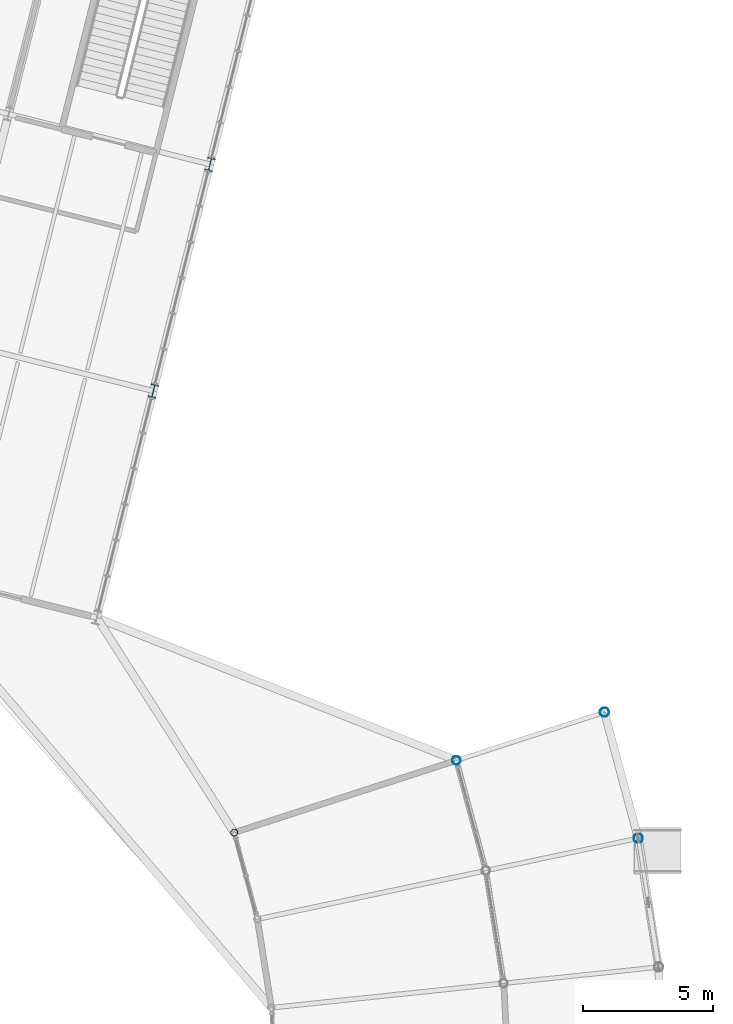
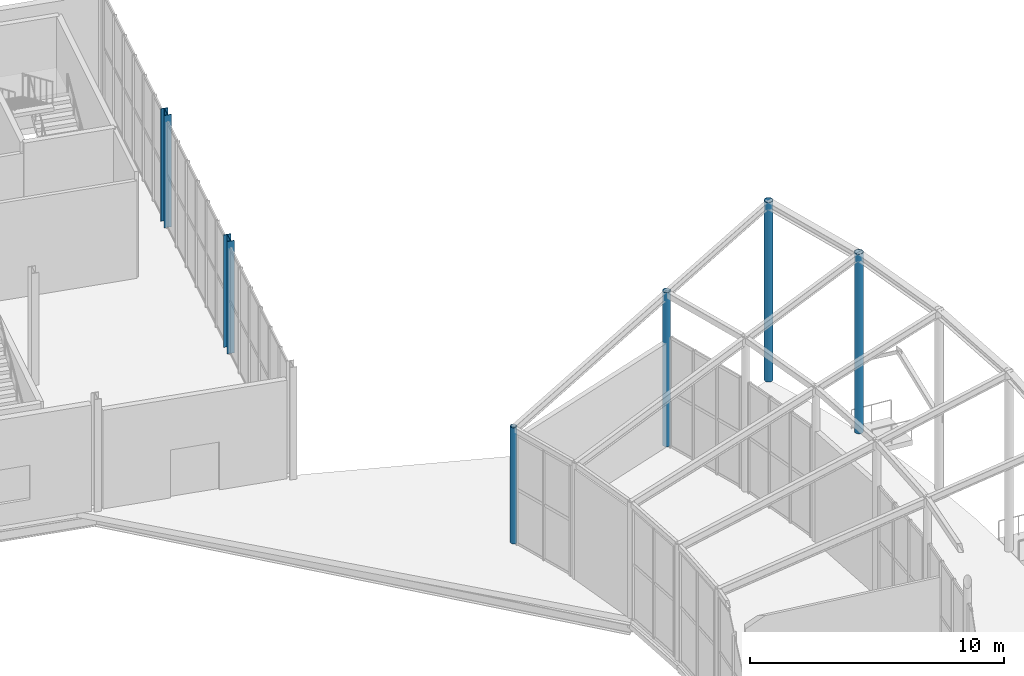
# One storey, part 27 of 158: 6 columns.
"""IFC4 building model written with IfcOpenShell, lengths in metres."""

import ifcopenshell
import ifcopenshell.guid

model = None  # the IFC model being written
_history = None  # IfcOwnerHistory: only IFC2X3 demands one
_inside = {}  # id of a spatial element -> (the spatial element, [elements in it])
_under = {}  # id of a project, library or spatial element -> (it, [spatial elements below it])
_declared = {}  # id of a project -> (the project, [libraries it declares])
_typed = {}  # id of a type object -> (the type object, [elements of that type])
_made_of = {}  # id of a material, layer set ... -> (it, [elements and type objects made of it])


def new_model(schema):
    """Start an empty IFC model of exactly this schema.

    Asked for "IFC4X3", IfcOpenShell would pick the latest addendum, in which some entities
    have other attributes; the version numbers below select the first issue.
    IFC2X3 requires an IfcOwnerHistory on every rooted entity: one is made here for all.
    """
    global model, _history
    if schema == "IFC4X3":
        model = ifcopenshell.file(schema_version=(4, 3, 0, 0))
    else:
        model = ifcopenshell.file(schema=schema)
    _inside.clear()
    _under.clear()
    _declared.clear()
    _typed.clear()
    _made_of.clear()
    _history = None
    if model.schema == "IFC2X3":
        org = make("IfcOrganization", Name="unknown")
        user = make(
            "IfcPersonAndOrganization",
            ThePerson=make("IfcPerson", FamilyName="unknown"),
            TheOrganization=org,
        )
        app = make(
            "IfcApplication",
            ApplicationDeveloper=org,
            Version="unknown",
            ApplicationFullName="unknown",
            ApplicationIdentifier="unknown",
        )
        _history = make(
            "IfcOwnerHistory",
            OwningUser=user,
            OwningApplication=app,
            ChangeAction="ADDED",
            CreationDate=0,
        )
    return model


def make(cls, **values):
    """One entity of the class cls with the attributes given. An attribute that is None is left unset."""
    return model.create_entity(
        cls, **{name: value for name, value in values.items() if value is not None}
    )


def rooted(cls, **values):
    """An entity with a GlobalId (a new one), such as an element, a storey or a relation."""
    return make(cls, GlobalId=ifcopenshell.guid.new(), OwnerHistory=_history, **values)


def si_unit(unit_type, name, prefix=None):
    """IfcSIUnit, for example si_unit("LENGTHUNIT", "METRE", prefix="MILLI")."""
    return make("IfcSIUnit", UnitType=unit_type, Prefix=prefix, Name=name)


def derived_unit(unit_type, elements):
    """IfcDerivedUnit: a product of units, each with its exponent."""
    return make(
        "IfcDerivedUnit",
        Elements=[
            make("IfcDerivedUnitElement", Unit=unit, Exponent=power)
            for unit, power in elements
        ],
        UnitType=unit_type,
    )


def assignment(units):
    """IfcUnitAssignment: the units of a project."""
    return None if units is None else make("IfcUnitAssignment", Units=units)


def point(xyz):
    """IfcCartesianPoint."""
    return None if xyz is None else make("IfcCartesianPoint", Coordinates=xyz)


def direction(xyz):
    """IfcDirection."""
    return None if xyz is None else make("IfcDirection", DirectionRatios=xyz)


def frame(location, z_axis=None, x_axis=None):
    """IfcAxis2Placement3D, a coordinate frame: its origin and axes. An axis left out is left unset."""
    return make(
        "IfcAxis2Placement3D",
        Location=point(location),
        Axis=direction(z_axis),
        RefDirection=direction(x_axis),
    )


def frame_2d(location, x_axis=None):
    """IfcAxis2Placement2D, a coordinate frame in the plane: its origin and x axis."""
    return make(
        "IfcAxis2Placement2D", Location=point(location), RefDirection=direction(x_axis)
    )


def origin():
    """The frame at (0, 0, 0) with its axes left unset."""
    return frame((0.0, 0.0, 0.0))


def origin_2d():
    """The frame at (0, 0) in the plane with its x axis left unset."""
    return frame_2d((0.0, 0.0))


def place(relative_to, where):
    """IfcLocalPlacement: puts the frame where relative to a parent placement (None: the world)."""
    return make(
        "IfcLocalPlacement", PlacementRelTo=relative_to, RelativePlacement=where
    )


def context(
    kind, dimensions, precision=None, world=None, true_north=None, identifier=None
):
    """IfcGeometricRepresentationContext, for example the 3D "Model" context."""
    return make(
        "IfcGeometricRepresentationContext",
        ContextIdentifier=identifier,
        ContextType=kind,
        CoordinateSpaceDimension=dimensions,
        Precision=precision,
        WorldCoordinateSystem=world,
        TrueNorth=true_north,
    )


def subcontext(parent, identifier, kind, view, scale=None):
    """IfcGeometricRepresentationSubContext, for example "Body" below "Model"."""
    return make(
        "IfcGeometricRepresentationSubContext",
        ContextIdentifier=identifier,
        ContextType=kind,
        ParentContext=parent,
        TargetScale=scale,
        TargetView=view,
    )


def project(units=None, contexts=None):
    """IfcProject with its units and contexts."""
    return rooted(
        "IfcProject",
        Name="project",
        RepresentationContexts=contexts,
        UnitsInContext=assignment(units),
    )


def spatial(cls, under=None, at=None, **own):
    """A site, building, storey or space (cls), placed at a placement, below another one or the project."""
    s = rooted(cls, ObjectPlacement=at, **own)
    if under is not None:
        _under.setdefault(under.id(), (under, []))[1].append(s)
    return s


def profile(cls, at=None, kind="AREA", **sizes):
    """A parametric profile (cls). Its sizes go by their IFC names, for example OverallWidth=200.0."""
    return make(cls, ProfileType=kind, Position=at, **sizes)


def hollow_circle(**sizes):
    """IfcCircleHollowProfileDef."""
    return profile("IfcCircleHollowProfileDef", **sizes)


def i_section(**sizes):
    """IfcIShapeProfileDef."""
    return profile("IfcIShapeProfileDef", **sizes)


def extrude(swept, where, along, depth):
    """IfcExtrudedAreaSolid: the profile swept, set in the frame where, extruded along a direction by depth."""
    return make(
        "IfcExtrudedAreaSolid",
        SweptArea=swept,
        Position=where,
        ExtrudedDirection=direction(along),
        Depth=depth,
    )


def shape(context_of_items, identifier, shape_type, items):
    """IfcShapeRepresentation: the items that make up one representation, for example the "Body"."""
    return make(
        "IfcShapeRepresentation",
        ContextOfItems=context_of_items,
        RepresentationIdentifier=identifier,
        RepresentationType=shape_type,
        Items=items,
    )


def material(Name=None, Category=None):
    """IfcMaterial."""
    return make("IfcMaterial", Name=Name, Category=Category)


def material_profile(
    of_material, cross_section, Name=None, Category=None, Priority=None
):
    """IfcMaterialProfile: a cross section and its material."""
    return make(
        "IfcMaterialProfile",
        Name=Name,
        Material=of_material,
        Profile=cross_section,
        Priority=Priority,
        Category=Category,
    )


def profile_set(profiles, Name=None, composite=None):
    """IfcMaterialProfileSet."""
    return make(
        "IfcMaterialProfileSet",
        Name=Name,
        MaterialProfiles=profiles,
        CompositeProfile=composite,
    )


def made_of(thing, what):
    """Note that an element or type object is made of a material, layer set ...; save() writes the relation."""
    if what is not None:
        _made_of.setdefault(what.id(), (what, []))[1].append(thing)
    return thing


def type_object(cls, material=None, **own):
    """A type object (cls), such as IfcWallType, which elements share."""
    return made_of(rooted(cls, **own), material)


def element(
    cls,
    number,
    at=None,
    inside=None,
    cuts=None,
    type_object=None,
    material=None,
    context=None,
    identifier="Body",
    shape_type=None,
    held_by="IfcProductDefinitionShape",
    body=None,
    shapes=None,
    **own,
):
    """One element of the class cls, such as IfcWall. Its Tag is "e" and its number.

    at: its placement. inside: the storey or other place that contains it. cuts: it is an
    opening in that element (IfcRelVoidsElement). A single representation is given by context,
    identifier, shape_type and body (its items); several are given by shapes. held_by: the class
    of the entity that holds the representations. save() writes the other relations.
    """
    e = rooted(cls, Tag="e%d" % number, ObjectPlacement=at, **own)
    if body is not None:
        shapes = [shape(context, identifier, shape_type, body)]
    if shapes is not None:
        e.Representation = make(held_by, Representations=shapes)
    if inside is not None:
        _inside.setdefault(inside.id(), (inside, []))[1].append(e)
    if cuts is not None:
        rooted(
            "IfcRelVoidsElement", RelatingBuildingElement=cuts, RelatedOpeningElement=e
        )
    if type_object is not None:
        _typed.setdefault(type_object.id(), (type_object, []))[1].append(e)
    return made_of(e, material)


def aggregate(whole, parts):
    """IfcRelAggregates: a whole, such as a stair, and the parts it consists of."""
    return rooted("IfcRelAggregates", RelatingObject=whole, RelatedObjects=parts)


def save(model, path):
    """Write the relations noted so far, then the file.

    IfcRelAggregates (storeys below a building ...), IfcRelContainedInSpatialStructure (elements
    in a storey), IfcRelDefinesByType, IfcRelAssociatesMaterial and IfcRelDeclares: one each for
    every whole, place, type object, material and project.
    """
    for whole, parts in _under.values():
        aggregate(whole, parts)
    for where, things in _inside.values():
        rooted(
            "IfcRelContainedInSpatialStructure",
            RelatedElements=things,
            RelatingStructure=where,
        )
    for kind, things in _typed.values():
        rooted("IfcRelDefinesByType", RelatedObjects=things, RelatingType=kind)
    for what, things in _made_of.values():
        rooted("IfcRelAssociatesMaterial", RelatedObjects=things, RelatingMaterial=what)
    for by, libraries in _declared.values():
        rooted("IfcRelDeclares", RelatingContext=by, RelatedDefinitions=libraries)
    model.write(path)


model = new_model("IFC4")

# Units and contexts
model_context = context("Model", 3, precision=1e-05, world=origin(), true_north=direction((0.0, 1.0)))
body_context = subcontext(model_context, "Body", "Model", "MODEL_VIEW")
ifc_project = project(units=[si_unit("LENGTHUNIT", "METRE"), si_unit("AREAUNIT", "SQUARE_METRE"), si_unit("VOLUMEUNIT", "CUBIC_METRE"), si_unit("PLANEANGLEUNIT", "RADIAN"), si_unit("MASSUNIT", "GRAM", prefix="KILO"), si_unit("THERMODYNAMICTEMPERATUREUNIT", "KELVIN"), si_unit("TIMEUNIT", "SECOND"), derived_unit("THERMALTRANSMITTANCEUNIT", [(si_unit("MASSUNIT", "GRAM", prefix="KILO"), 1), (si_unit("THERMODYNAMICTEMPERATUREUNIT", "KELVIN"), -1), (si_unit("TIMEUNIT", "SECOND"), -3)])], contexts=[model_context])

# Site, building, storey
site_placement = place(None, origin())
site = spatial("IfcSite", under=ifc_project, at=site_placement, CompositionType="ELEMENT")
building_placement = place(site_placement, origin())
building = spatial("IfcBuilding", under=site, at=building_placement, Name="Cambertide Market Hall", CompositionType="ELEMENT")
storey_placement = place(building_placement, origin())
storey = spatial("IfcBuildingStorey", under=building, at=storey_placement, Name="L01", CompositionType="ELEMENT", Elevation=0.0)

# Columns
ifc_material_1 = material(Name="Steel S355", Category="steel")
ifc_material_profile_1 = material_profile(ifc_material_1, hollow_circle(Radius=0.136474609375, WallThickness=0.010009765625, at=origin_2d()), Name="CHS 273x10")
ifc_profile_set_1 = profile_set([ifc_material_profile_1], Name="Steel S355")
column_type_1 = type_object("IfcColumnType", Name="Exterior Steel Column CHS 273x10", PredefinedType="COLUMN", material=ifc_profile_set_1)
column_1_placement = place(storey_placement, frame((175.384765625, 76.197509765625, 0.0), z_axis=(0.0, 0.0, 1.0), x_axis=(0.951056516295, 0.309016994375, 0.0)))
element("IfcColumn", 1, at=column_1_placement, inside=storey, type_object=column_type_1, Name="Level 1 Column COL-V5-IN18-L01", PredefinedType="COLUMN", context=body_context, shape_type="SweptSolid", body=[
    extrude(hollow_circle(Radius=0.136474609375, WallThickness=0.010009765625, at=origin_2d()), origin(), (0.0, 0.0, 1.0), 5.580078125),
])
ifc_material_2 = material(Name="Steel S355", Category="steel")
ifc_material_profile_2 = material_profile(ifc_material_2, hollow_circle(Radius=0.161865234375, WallThickness=0.010009765625, at=origin_2d()), Name="CHS 323.9x10")
ifc_profile_set_2 = profile_set([ifc_material_profile_2], Name="Steel S355")
column_type_2 = type_object("IfcColumnType", Name="Exterior Steel Column CHS 323.9x10", PredefinedType="COLUMN", material=ifc_profile_set_2)
column_2_placement = place(storey_placement, frame((183.9443359375, 78.978759765625, 0.0), z_axis=(0.0, 0.0, 1.0), x_axis=(0.951056516295, 0.309016994375, 0.0)))
element("IfcColumn", 2, at=column_2_placement, inside=storey, type_object=column_type_2, Name="Level 1 Column COL-V5-MID18-L01", PredefinedType="COLUMN", context=body_context, shape_type="SweptSolid", body=[
    extrude(hollow_circle(Radius=0.161865234375, WallThickness=0.010009765625, at=origin_2d()), origin(), (0.0, 0.0, 1.0), 7.409912109375),
])
ifc_material_3 = material(Name="Steel S355", Category="steel")
ifc_material_profile_3 = material_profile(ifc_material_3, hollow_circle(Radius=0.177734375, WallThickness=0.012451171875, at=origin_2d()), Name="CHS 355.6x12.5")
ifc_profile_set_3 = profile_set([ifc_material_profile_3], Name="Steel S355")
column_type_3 = type_object("IfcColumnType", Name="Exterior Steel Column CHS 355.6x12.5", PredefinedType="COLUMN", material=ifc_profile_set_3)
for number, where, z_axis, x_axis, name in (
    (3, (190.951171875, 75.979736328125, 0.0), (0.0, 0.0, 1.0), (0.978147600734, 0.207911690818, 0.0), "Level 1 Column COL-V5-OUT16-L01"),
    (4, (189.650634765625, 80.832763671875, 0.0), (0.0, 0.0, 1.0), (0.951056516295, 0.309016994375, 0.0), "Level 1 Column COL-V5-OUT18-L01"),
):
    element("IfcColumn", number, at=place(storey_placement, frame(where, z_axis=z_axis, x_axis=x_axis)), inside=storey, type_object=column_type_3, Name=name, PredefinedType="COLUMN", context=body_context, shape_type="SweptSolid", body=[
        extrude(hollow_circle(Radius=0.177734375, WallThickness=0.012451171875, at=origin_2d()), origin(), (0.0, 0.0, 1.0), 8.6298828125),
    ])
ifc_material_4 = material(Name="Steel S355", Category="steel")
ifc_material_profile_4 = material_profile(ifc_material_4, i_section(OverallWidth=0.300048828125, OverallDepth=0.5, WebThickness=0.014404296875, FlangeThickness=0.028076171875, FilletRadius=0.027099609375, at=origin_2d()), Name="HEB 500")
ifc_profile_set_4 = profile_set([ifc_material_profile_4], Name="Steel S355")
column_type_4 = type_object("IfcColumnType", Name="Exterior Steel Column HEB 500", PredefinedType="COLUMN", material=ifc_profile_set_4)
for number, where, z_axis, x_axis, name in (
    (5, (172.27197265625, 93.208984375, 0.0), (0.0, 0.0, 1.0), (0.970142500145, -0.242535625038, 0.0), "Level 1 Column COL-V4-9-2-L01"),
    (6, (174.454833984375, 101.940185546875, 0.0), (0.0, 0.0, 1.0), (0.970142500145, -0.242535625038, 0.0), "Level 1 Column COL-V4-9-3-L01"),
):
    element("IfcColumn", number, at=place(storey_placement, frame(where, z_axis=z_axis, x_axis=x_axis)), inside=storey, type_object=column_type_4, Name=name, PredefinedType="COLUMN", context=body_context, shape_type="SweptSolid", body=[
        extrude(i_section(OverallWidth=0.300048828125, OverallDepth=0.5, WebThickness=0.014404296875, FlangeThickness=0.028076171875, FilletRadius=0.027099609375, at=origin_2d()), origin(), (0.0, 0.0, 1.0), 5.39990234375),
    ])

save(model, "model.ifc")
